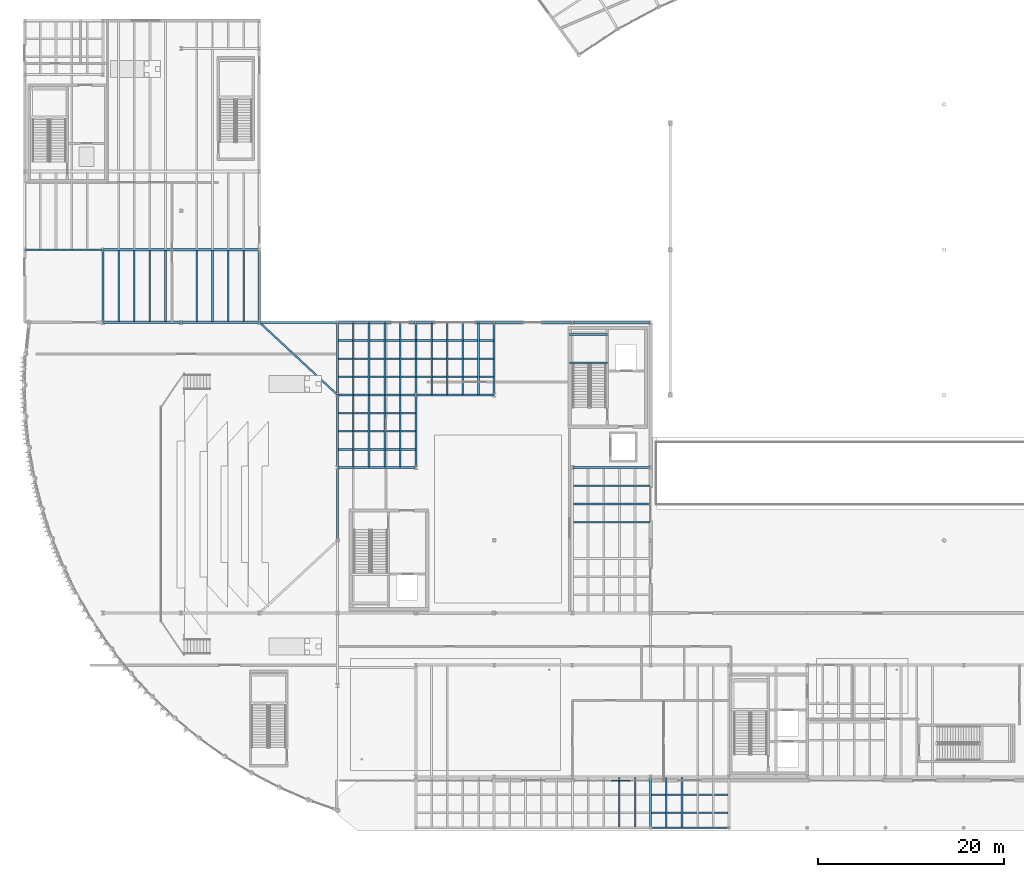
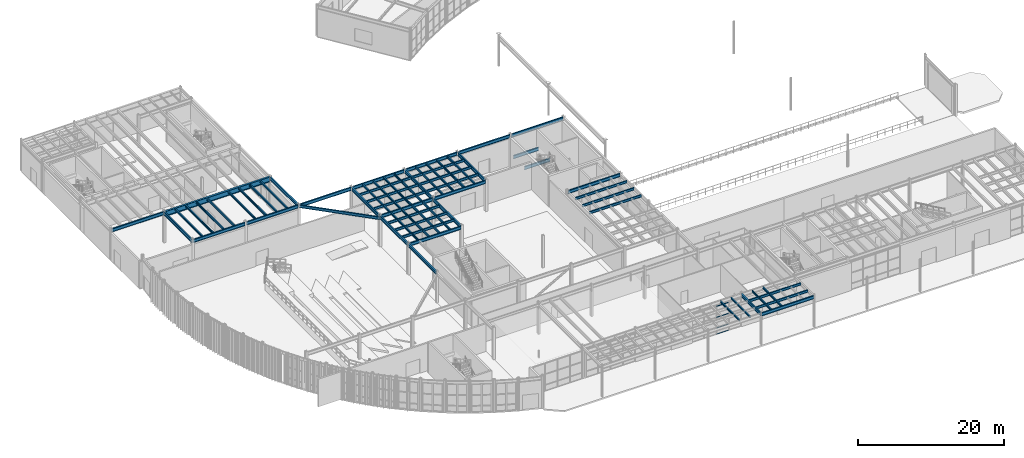
# One storey, part 33 of 87: 64 beams, 4 members, 1 element without a shape of its own.
"""IFC4 building model written with IfcOpenShell, lengths in metres."""

from ifc_helpers import new_model, si_unit, direction, frame, origin, origin_2d, place, context, subcontext, project, spatial, hollow_rectangle, i_section, extrude, material, layer, layer_set, material_profile, profile_set, type_object, element, aggregate, save


model = new_model("IFC4")

# Units and contexts
model_context = context("Model", 3, precision=1e-05, world=origin(), true_north=direction((0.0, 1.0)))
body_context = subcontext(model_context, "Body", "Model", "MODEL_VIEW")
ifc_project = project(units=[si_unit("LENGTHUNIT", "METRE"), si_unit("AREAUNIT", "SQUARE_METRE"), si_unit("VOLUMEUNIT", "CUBIC_METRE"), si_unit("PLANEANGLEUNIT", "RADIAN"), si_unit("MASSUNIT", "GRAM", prefix="KILO")], contexts=[model_context])

# Site, building, storey
site_placement = place(None, origin())
site = spatial("IfcSite", under=ifc_project, at=site_placement, CompositionType="ELEMENT")
building_placement = place(site_placement, origin())
building = spatial("IfcBuilding", under=site, at=building_placement, Name="Selat Folded Stagehouse", CompositionType="ELEMENT")
storey_placement = place(building_placement, origin())
storey = spatial("IfcBuildingStorey", under=building, at=storey_placement, Name="L00", CompositionType="ELEMENT", Elevation=0.0)

# Beams
ifc_material_1 = material(Name="Steel S355", Category="steel")
ifc_material_profile_1 = material_profile(ifc_material_1, i_section(OverallWidth=0.210693359375, OverallDepth=0.53955078125, WebThickness=0.01171875, FlangeThickness=0.018798828125, FilletRadius=0.0126953125, at=origin_2d()), Name="UKB 533x210x109")
ifc_profile_set_1 = profile_set([ifc_material_profile_1], Name="Steel S355")
beam_type_1 = type_object("IfcBeamType", Name="BM-GIRD-533x210x109", PredefinedType="BEAM", material=ifc_profile_set_1)
for number, where, z_axis, x_axis, name in (
    (1, (8.39990234375, 54.679931640625, 4.900146484375), (0.0, 1.0, 0.0), (-1.0, 0.0, 0.0), "L00 primary y-girder 0553"),
    (2, (25.199951171875, 54.679931640625, 4.900146484375), (0.0, 1.0, 0.0), (-1.0, 0.0, 0.0), "L00 primary y-girder 0555"),
):
    element("IfcBeam", number, at=place(storey_placement, frame(where, z_axis=z_axis, x_axis=x_axis)), inside=storey, type_object=beam_type_1, Name=name, PredefinedType="BEAM", context=body_context, shape_type="SweptSolid", body=[
        extrude(i_section(OverallWidth=0.210693359375, OverallDepth=0.53955078125, WebThickness=0.01171875, FlangeThickness=0.018798828125, FilletRadius=0.0126953125, at=origin_2d()), origin(), (0.0, 0.0, 1.0), 7.64013671875),
    ])
beam_1_placement = place(storey_placement, frame((33.60009765625, 31.27490234375, 4.91015625), z_axis=(0.0, 1.0, 0.0), x_axis=(-1.0, 0.0, 0.0)))
element("IfcBeam", 3, at=beam_1_placement, inside=storey, type_object=beam_type_1, Name="L00 primary y-girder 0561", PredefinedType="BEAM", context=body_context, shape_type="SweptSolid", body=[
    extrude(i_section(OverallWidth=0.210693359375, OverallDepth=0.53955078125, WebThickness=0.01171875, FlangeThickness=0.018798828125, FilletRadius=0.0126953125, at=origin_2d()), origin(), (0.0, 0.0, 1.0), 7.64501953125),
])
beam_2_placement = place(storey_placement, frame((33.60009765625, 39.080078125, 4.91015625), z_axis=(0.0, 1.0, 0.0), x_axis=(-1.0, 0.0, 0.0)))
element("IfcBeam", 4, at=beam_2_placement, inside=storey, type_object=beam_type_1, Name="L00 primary y-girder 0562", PredefinedType="BEAM", context=body_context, shape_type="SweptSolid", body=[
    extrude(i_section(OverallWidth=0.210693359375, OverallDepth=0.53955078125, WebThickness=0.01171875, FlangeThickness=0.018798828125, FilletRadius=0.0126953125, at=origin_2d()), origin(), (0.0, 0.0, 1.0), 7.639892578125),
])
beam_3_placement = place(storey_placement, frame((33.60009765625, 46.8798828125, 4.91015625), z_axis=(0.0, 1.0, 0.0), x_axis=(-1.0, 0.0, 0.0)))
element("IfcBeam", 5, at=beam_3_placement, inside=storey, type_object=beam_type_1, Name="L00 primary y-girder 0563", PredefinedType="BEAM", context=body_context, shape_type="SweptSolid", body=[
    extrude(i_section(OverallWidth=0.210693359375, OverallDepth=0.53955078125, WebThickness=0.01171875, FlangeThickness=0.018798828125, FilletRadius=0.0126953125, at=origin_2d()), origin(), (0.0, 0.0, 1.0), 7.64013671875),
])
beam_4_placement = place(storey_placement, frame((42.0, 39.080078125, 4.91015625), z_axis=(0.0, 1.0, 0.0), x_axis=(-1.0, 0.0, 0.0)))
element("IfcBeam", 6, at=beam_4_placement, inside=storey, type_object=beam_type_1, Name="L00 primary y-girder 0566", PredefinedType="BEAM", context=body_context, shape_type="SweptSolid", body=[
    extrude(i_section(OverallWidth=0.210693359375, OverallDepth=0.53955078125, WebThickness=0.01171875, FlangeThickness=0.018798828125, FilletRadius=0.0126953125, at=origin_2d()), origin(), (0.0, 0.0, 1.0), 7.639892578125),
])
for number, where, z_axis, x_axis, name in (
    (7, (42.0, 46.8798828125, 4.91015625), (0.0, 1.0, 0.0), (-1.0, 0.0, 0.0), "L00 primary y-girder 0567"),
    (8, (50.39990234375, 46.8798828125, 4.91015625), (0.0, 1.0, 0.0), (-1.0, 0.0, 0.0), "L00 primary y-girder 0569"),
):
    element("IfcBeam", number, at=place(storey_placement, frame(where, z_axis=z_axis, x_axis=x_axis)), inside=storey, type_object=beam_type_1, Name=name, PredefinedType="BEAM", context=body_context, shape_type="SweptSolid", body=[
        extrude(i_section(OverallWidth=0.210693359375, OverallDepth=0.53955078125, WebThickness=0.01171875, FlangeThickness=0.018798828125, FilletRadius=0.0126953125, at=origin_2d()), origin(), (0.0, 0.0, 1.0), 7.64013671875),
    ])
beam_5_placement = place(storey_placement, frame((67.199951171875, 0.418212890625, 4.940185546875), z_axis=(0.0, 1.0, 0.0), x_axis=(-1.0, 0.0, 0.0)))
element("IfcBeam", 9, at=beam_5_placement, inside=storey, type_object=beam_type_1, Name="L00 primary y-girder 0572", PredefinedType="BEAM", context=body_context, shape_type="SweptSolid", body=[
    extrude(i_section(OverallWidth=0.210693359375, OverallDepth=0.53955078125, WebThickness=0.01171875, FlangeThickness=0.018798828125, FilletRadius=0.0126953125, at=origin_2d()), origin(), (0.0, 0.0, 1.0), 5.3017578125),
])
ifc_material_profile_2 = material_profile(ifc_material_1, i_section(OverallWidth=0.209228515625, OverallDepth=0.533203125, WebThickness=0.010009765625, FlangeThickness=0.015625, FilletRadius=0.0126953125, at=origin_2d()), Name="UKB 533x210x92")
ifc_profile_set_2 = profile_set([ifc_material_profile_2], Name="Steel S355")
beam_type_2 = type_object("IfcBeamType", Name="BM-GIRD-533x210x92", PredefinedType="BEAM", material=ifc_profile_set_2)
beam_6_placement = place(storey_placement, frame((67.268310546875, 0.35009765625, 4.943603515625), z_axis=(1.0, 0.0, 0.0), x_axis=(0.0, 1.0, 0.0)))
element("IfcBeam", 10, at=beam_6_placement, inside=storey, type_object=beam_type_2, Name="L00 primary x-girder 0499", PredefinedType="BEAM", context=body_context, shape_type="SweptSolid", body=[
    extrude(i_section(OverallWidth=0.209228515625, OverallDepth=0.533203125, WebThickness=0.010009765625, FlangeThickness=0.015625, FilletRadius=0.0126953125, at=origin_2d()), origin(), (0.0, 0.0, 1.0), 8.263427734375),
])
beam_7_placement = place(storey_placement, frame((33.679931640625, 39.0, 4.91357421875), z_axis=(1.0, 0.0, 0.0), x_axis=(0.0, 1.0, 0.0)))
element("IfcBeam", 11, at=beam_7_placement, inside=storey, type_object=beam_type_2, Name="L00 primary x-girder 0532", PredefinedType="BEAM", context=body_context, shape_type="SweptSolid", body=[
    extrude(i_section(OverallWidth=0.209228515625, OverallDepth=0.533203125, WebThickness=0.010009765625, FlangeThickness=0.015625, FilletRadius=0.0126953125, at=origin_2d()), origin(), (0.0, 0.0, 1.0), 8.239990234375),
])
beam_8_placement = place(storey_placement, frame((58.8798828125, 39.0, 4.91357421875), z_axis=(1.0, 0.0, 0.0), x_axis=(0.0, 1.0, 0.0)))
element("IfcBeam", 12, at=beam_8_placement, inside=storey, type_object=beam_type_2, Name="L00 primary x-girder 0533", PredefinedType="BEAM", context=body_context, shape_type="SweptSolid", body=[
    extrude(i_section(OverallWidth=0.209228515625, OverallDepth=0.533203125, WebThickness=0.010009765625, FlangeThickness=0.015625, FilletRadius=0.0126953125, at=origin_2d()), origin(), (0.0, 0.0, 1.0), 8.240234375),
])
for number, where, z_axis, x_axis, name in (
    (13, (33.679931640625, 46.800048828125, 4.91357421875), (1.0, 0.0, 0.0), (0.0, 1.0, 0.0), "L00 primary x-girder 0534"),
    (14, (42.080078125, 46.800048828125, 4.91357421875), (1.0, 0.0, 0.0), (0.0, 1.0, 0.0), "L00 primary x-girder 0535"),
    (15, (8.47998046875, 54.60009765625, 4.903564453125), (1.0, 0.0, 0.0), (0.0, 1.0, 0.0), "L00 primary x-girder 0536"),
):
    element("IfcBeam", number, at=place(storey_placement, frame(where, z_axis=z_axis, x_axis=x_axis)), inside=storey, type_object=beam_type_2, Name=name, PredefinedType="BEAM", context=body_context, shape_type="SweptSolid", body=[
        extrude(i_section(OverallWidth=0.209228515625, OverallDepth=0.533203125, WebThickness=0.010009765625, FlangeThickness=0.015625, FilletRadius=0.0126953125, at=origin_2d()), origin(), (0.0, 0.0, 1.0), 8.239990234375),
    ])
beam_9_placement = place(storey_placement, frame((16.8798828125, 54.60009765625, 4.903564453125), z_axis=(1.0, 0.0, 0.0), x_axis=(0.0, 1.0, 0.0)))
element("IfcBeam", 16, at=beam_9_placement, inside=storey, type_object=beam_type_2, Name="L00 primary x-girder 0537", PredefinedType="BEAM", context=body_context, shape_type="SweptSolid", body=[
    extrude(i_section(OverallWidth=0.209228515625, OverallDepth=0.533203125, WebThickness=0.010009765625, FlangeThickness=0.015625, FilletRadius=0.0126953125, at=origin_2d()), origin(), (0.0, 0.0, 1.0), 8.240234375),
])
for number, where, z_axis, x_axis, name in (
    (17, (25.280029296875, 54.60009765625, 4.91357421875), (1.0, 0.0, 0.0), (0.0, 1.0, 0.0), "L00 primary x-girder 0538"),
    (18, (33.679931640625, 54.60009765625, 4.91357421875), (1.0, 0.0, 0.0), (0.0, 1.0, 0.0), "L00 primary x-girder 0539"),
    (19, (42.080078125, 54.60009765625, 4.91357421875), (1.0, 0.0, 0.0), (0.0, 1.0, 0.0), "L00 primary x-girder 0540"),
    (20, (50.47998046875, 54.60009765625, 4.91357421875), (1.0, 0.0, 0.0), (0.0, 1.0, 0.0), "L00 primary x-girder 0541"),
):
    element("IfcBeam", number, at=place(storey_placement, frame(where, z_axis=z_axis, x_axis=x_axis)), inside=storey, type_object=beam_type_2, Name=name, PredefinedType="BEAM", context=body_context, shape_type="SweptSolid", body=[
        extrude(i_section(OverallWidth=0.209228515625, OverallDepth=0.533203125, WebThickness=0.010009765625, FlangeThickness=0.015625, FilletRadius=0.0126953125, at=origin_2d()), origin(), (0.0, 0.0, 1.0), 8.239990234375),
    ])
beam_10_placement = place(storey_placement, frame((58.8798828125, 54.60009765625, 4.91357421875), z_axis=(1.0, 0.0, 0.0), x_axis=(0.0, 1.0, 0.0)))
element("IfcBeam", 21, at=beam_10_placement, inside=storey, type_object=beam_type_2, Name="L00 primary x-girder 0542", PredefinedType="BEAM", context=body_context, shape_type="SweptSolid", body=[
    extrude(i_section(OverallWidth=0.209228515625, OverallDepth=0.533203125, WebThickness=0.010009765625, FlangeThickness=0.015625, FilletRadius=0.0126953125, at=origin_2d()), origin(), (0.0, 0.0, 1.0), 8.240234375),
])
beam_11_placement = place(storey_placement, frame((0.080078125, 62.39990234375, 4.903564453125), z_axis=(1.0, 0.0, 0.0), x_axis=(0.0, 1.0, 0.0)))
element("IfcBeam", 22, at=beam_11_placement, inside=storey, type_object=beam_type_2, Name="L00 primary x-girder 0543", PredefinedType="BEAM", context=body_context, shape_type="SweptSolid", body=[
    extrude(i_section(OverallWidth=0.209228515625, OverallDepth=0.533203125, WebThickness=0.010009765625, FlangeThickness=0.015625, FilletRadius=0.0126953125, at=origin_2d()), origin(), (0.0, 0.0, 1.0), 8.239990234375),
])
for number, where, z_axis, x_axis, name in (
    (23, (58.5, 50.27001953125, 2.2333984375), (1.0, 0.0, 0.0), (0.0, 1.0, 0.0), "L00 ST-02 landing support beam 1"),
    (24, (58.5, 53.31005859375, 2.2333984375), (1.0, 0.0, 0.0), (0.0, 1.0, 0.0), "L00 ST-02 landing support beam 2"),
):
    element("IfcBeam", number, at=place(storey_placement, frame(where, z_axis=z_axis, x_axis=x_axis)), inside=storey, type_object=beam_type_2, Name=name, PredefinedType="BEAM", context=body_context, shape_type="SweptSolid", body=[
        extrude(i_section(OverallWidth=0.209228515625, OverallDepth=0.533203125, WebThickness=0.010009765625, FlangeThickness=0.015625, FilletRadius=0.0126953125, at=origin_2d()), origin(), (0.0, 0.0, 1.0), 4.050048828125),
    ])
ifc_material_profile_3 = material_profile(ifc_material_1, i_section(OverallWidth=0.293701171875, OverallDepth=0.850830078125, WebThickness=0.01611328125, FlangeThickness=0.02685546875, FilletRadius=0.017822265625, at=origin_2d()), Name="UKB 838x292x226")
ifc_profile_set_3 = profile_set([ifc_material_profile_3], Name="Steel S355")
beam_type_3 = type_object("IfcBeamType", Name="BM-LONG-838x292x226", PredefinedType="BEAM", material=ifc_profile_set_3)
beam_12_placement = place(storey_placement, frame((8.47998046875, 62.39990234375, 4.74462890625), z_axis=(1.0, 0.0, 0.0), x_axis=(0.0, 1.0, 0.0)))
element("IfcBeam", 25, at=beam_12_placement, inside=storey, type_object=beam_type_3, Name="L00 primary x-girder 0544", PredefinedType="BEAM", context=body_context, shape_type="SweptSolid", body=[
    extrude(i_section(OverallWidth=0.293701171875, OverallDepth=0.850830078125, WebThickness=0.01611328125, FlangeThickness=0.02685546875, FilletRadius=0.017822265625, at=origin_2d()), origin(), (0.0, 0.0, 1.0), 16.64013671875),
])
ifc_material_profile_4 = material_profile(ifc_material_1, i_section(OverallWidth=0.19140625, OverallDepth=0.4599609375, WebThickness=0.010009765625, FlangeThickness=0.01611328125, FilletRadius=0.01025390625, at=origin_2d()), Name="UKB 457x191x82")
ifc_profile_set_4 = profile_set([ifc_material_profile_4], Name="Steel S355")
beam_type_4 = type_object("IfcBeamType", Name="BM-RAKER-457x191x82", PredefinedType="BEAM", material=ifc_profile_set_4)
beam_13_placement = place(storey_placement, frame((33.60009765625, 46.800048828125, 4.64990234375), z_axis=(-0.732594068574, 0.680258316531, 0.023548959219), x_axis=(-0.680447014825, -0.732797284394, 0.0)))
element("IfcBeam", 26, at=beam_13_placement, inside=storey, type_object=beam_type_4, Name="L00 dress circle radial raker beam N", PredefinedType="BEAM", context=body_context, shape_type="SweptSolid", body=[
    extrude(i_section(OverallWidth=0.19140625, OverallDepth=0.4599609375, WebThickness=0.010009765625, FlangeThickness=0.01611328125, FilletRadius=0.01025390625, at=origin_2d()), origin(), (0.0, 0.0, 1.0), 11.46630859375),
])

# Curtain wall, members
ifc_material_2 = material(Name="Aluminium 6063-T6", Category="aluminium")
ifc_layer = layer(ifc_material_2, 0.2099609375)
ifc_layer_set = layer_set([ifc_layer], Name="Aluminium 6063-T6")
curtain_wall_type = type_object("IfcCurtainWallType", Name="CW-FYR-SOUTH", PredefinedType="NOTDEFINED", material=ifc_layer_set)
curtain_wall_placement = place(storey_placement, origin())
curtain_wall = element("IfcCurtainWall", 27, at=curtain_wall_placement, inside=storey, type_object=curtain_wall_type, Name="L00 curtain wall CW-FYR-L00-02", PredefinedType="NOTDEFINED")
ifc_material_profile_5 = material_profile(ifc_material_2, hollow_rectangle(XDim=0.06494140625, YDim=0.139892578125, WallThickness=0.00390625, at=origin_2d()), Name="ALU 140x65x4.0")
ifc_profile_set_5 = profile_set([ifc_material_profile_5], Name="Aluminium 6063-T6")
member_type = type_object("IfcMemberType", Name="CWM-TRN-140x65", PredefinedType="USERDEFINED", material=ifc_profile_set_5)
member_1_placement = place(storey_placement, frame((64.9423828125, 5.39990234375, 0.032470703125), z_axis=(-1.0, 0.0, 0.0), x_axis=(0.0, -1.0, 0.0)))
member_1 = element("IfcMember", 28, at=member_1_placement, type_object=member_type, Name="CW-04 transom 2.1", ObjectType="TRANSOM", PredefinedType="USERDEFINED", context=body_context, shape_type="SweptSolid", body=[
    extrude(hollow_rectangle(XDim=0.06494140625, YDim=0.139892578125, WallThickness=0.00390625, at=origin_2d()), origin(), (0.0, 0.0, 1.0), 1.909912109375),
])
member_2_placement = place(storey_placement, frame((64.9423828125, 5.39990234375, 1.050048828125), z_axis=(-1.0, 0.0, 0.0), x_axis=(0.0, -1.0, 0.0)))
member_2 = element("IfcMember", 29, at=member_2_placement, type_object=member_type, Name="CW-04 transom 2.2", ObjectType="TRANSOM", PredefinedType="USERDEFINED", context=body_context, shape_type="SweptSolid", body=[
    extrude(hollow_rectangle(XDim=0.06494140625, YDim=0.139892578125, WallThickness=0.00390625, at=origin_2d()), origin(), (0.0, 0.0, 1.0), 1.909912109375),
])
member_3_placement = place(storey_placement, frame((64.9423828125, 5.39990234375, 2.85009765625), z_axis=(-1.0, 0.0, 0.0), x_axis=(0.0, -1.0, 0.0)))
member_3 = element("IfcMember", 30, at=member_3_placement, type_object=member_type, Name="CW-04 transom 2.3", ObjectType="TRANSOM", PredefinedType="USERDEFINED", context=body_context, shape_type="SweptSolid", body=[
    extrude(hollow_rectangle(XDim=0.06494140625, YDim=0.139892578125, WallThickness=0.00390625, at=origin_2d()), origin(), (0.0, 0.0, 1.0), 1.909912109375),
])
member_4_placement = place(storey_placement, frame((64.9423828125, 5.39990234375, 4.6875), z_axis=(-1.0, 0.0, 0.0), x_axis=(0.0, -1.0, 0.0)))
member_4 = element("IfcMember", 31, at=member_4_placement, type_object=member_type, Name="CW-04 transom 2.4", ObjectType="TRANSOM", PredefinedType="USERDEFINED", context=body_context, shape_type="SweptSolid", body=[
    extrude(hollow_rectangle(XDim=0.06494140625, YDim=0.139892578125, WallThickness=0.00390625, at=origin_2d()), origin(), (0.0, 0.0, 1.0), 1.909912109375),
])
aggregate(curtain_wall, [member_1, member_2, member_3, member_4])

# Beams
ifc_material_profile_6 = material_profile(ifc_material_1, i_section(OverallWidth=0.1650390625, OverallDepth=0.303466796875, WebThickness=0.006103515625, FlangeThickness=0.01025390625, FilletRadius=0.0087890625, at=origin_2d()), Name="UKB 305x165x40")
ifc_profile_set_6 = profile_set([ifc_material_profile_6], Name="Steel S355")
beam_type_5 = type_object("IfcBeamType", Name="JST-305x165x40", PredefinedType="JOIST", material=ifc_profile_set_6)
for number, where, z_axis, x_axis, name in (
    (32, (63.840087890625, 0.42333984375, 5.0283203125), (0.0, 1.0, 0.0), (-1.0, 0.0, 0.0), "L00 secondary floor joist 0660"),
    (33, (65.52001953125, 0.42333984375, 5.0283203125), (0.0, 1.0, 0.0), (-1.0, 0.0, 0.0), "L00 secondary floor joist 0662"),
    (34, (68.8798828125, 0.42333984375, 5.0283203125), (0.0, 1.0, 0.0), (-1.0, 0.0, 0.0), "L00 secondary floor joist 0664"),
    (35, (70.56005859375, 0.42333984375, 5.0283203125), (0.0, 1.0, 0.0), (-1.0, 0.0, 0.0), "L00 secondary floor joist 0665"),
):
    element("IfcBeam", number, at=place(storey_placement, frame(where, z_axis=z_axis, x_axis=x_axis)), inside=storey, type_object=beam_type_5, Name=name, PredefinedType="JOIST", context=body_context, shape_type="SweptSolid", body=[
        extrude(i_section(OverallWidth=0.1650390625, OverallDepth=0.303466796875, WebThickness=0.006103515625, FlangeThickness=0.01025390625, FilletRadius=0.0087890625, at=origin_2d()), origin(), (0.0, 0.0, 1.0), 5.303466796875),
    ])
ifc_material_profile_7 = material_profile(ifc_material_1, i_section(OverallWidth=0.17138671875, OverallDepth=0.35498046875, WebThickness=0.00732421875, FlangeThickness=0.011474609375, FilletRadius=0.01025390625, at=origin_2d()), Name="UKB 356x171x51")
ifc_profile_set_7 = profile_set([ifc_material_profile_7], Name="Steel S355")
beam_type_6 = type_object("IfcBeamType", Name="JST-356x171x51", PredefinedType="JOIST", material=ifc_profile_set_7)
for number, where, z_axis, x_axis, name in (
    (36, (10.080078125, 54.67333984375, 4.992431640625), (0.0, 1.0, 0.0), (-1.0, 0.0, 0.0), "L00 secondary floor joist 0607"),
    (37, (11.760009765625, 54.67333984375, 4.992431640625), (0.0, 1.0, 0.0), (-1.0, 0.0, 0.0), "L00 secondary floor joist 0610"),
    (38, (13.43994140625, 54.67333984375, 4.992431640625), (0.0, 1.0, 0.0), (-1.0, 0.0, 0.0), "L00 secondary floor joist 0613"),
    (39, (15.1201171875, 54.67333984375, 4.992431640625), (0.0, 1.0, 0.0), (-1.0, 0.0, 0.0), "L00 secondary floor joist 0616"),
    (40, (18.47998046875, 54.67333984375, 4.992431640625), (0.0, 1.0, 0.0), (-1.0, 0.0, 0.0), "L00 secondary floor joist 0619"),
    (41, (20.159912109375, 54.67333984375, 4.992431640625), (0.0, 1.0, 0.0), (-1.0, 0.0, 0.0), "L00 secondary floor joist 0623"),
    (42, (21.840087890625, 54.67333984375, 4.992431640625), (0.0, 1.0, 0.0), (-1.0, 0.0, 0.0), "L00 secondary floor joist 0627"),
    (43, (23.52001953125, 54.67333984375, 4.992431640625), (0.0, 1.0, 0.0), (-1.0, 0.0, 0.0), "L00 secondary floor joist 0630"),
):
    element("IfcBeam", number, at=place(storey_placement, frame(where, z_axis=z_axis, x_axis=x_axis)), inside=storey, type_object=beam_type_6, Name=name, PredefinedType="JOIST", context=body_context, shape_type="SweptSolid", body=[
        extrude(i_section(OverallWidth=0.17138671875, OverallDepth=0.35498046875, WebThickness=0.00732421875, FlangeThickness=0.011474609375, FilletRadius=0.01025390625, at=origin_2d()), origin(), (0.0, 0.0, 1.0), 7.623779296875),
    ])
beam_14_placement = place(storey_placement, frame((35.280029296875, 39.0732421875, 5.00244140625), z_axis=(0.0, 1.0, 0.0), x_axis=(-1.0, 0.0, 0.0)))
element("IfcBeam", 44, at=beam_14_placement, inside=storey, type_object=beam_type_6, Name="L00 secondary floor joist 0634", PredefinedType="JOIST", context=body_context, shape_type="SweptSolid", body=[
    extrude(i_section(OverallWidth=0.17138671875, OverallDepth=0.35498046875, WebThickness=0.00732421875, FlangeThickness=0.011474609375, FilletRadius=0.01025390625, at=origin_2d()), origin(), (0.0, 0.0, 1.0), 7.653564453125),
])
beam_15_placement = place(storey_placement, frame((35.280029296875, 46.873291015625, 5.00244140625), z_axis=(0.0, 1.0, 0.0), x_axis=(-1.0, 0.0, 0.0)))
element("IfcBeam", 45, at=beam_15_placement, inside=storey, type_object=beam_type_6, Name="L00 secondary floor joist 0635", PredefinedType="JOIST", context=body_context, shape_type="SweptSolid", body=[
    extrude(i_section(OverallWidth=0.17138671875, OverallDepth=0.35498046875, WebThickness=0.00732421875, FlangeThickness=0.011474609375, FilletRadius=0.01025390625, at=origin_2d()), origin(), (0.0, 0.0, 1.0), 7.6533203125),
])
beam_16_placement = place(storey_placement, frame((36.9599609375, 39.0732421875, 5.00244140625), z_axis=(0.0, 1.0, 0.0), x_axis=(-1.0, 0.0, 0.0)))
element("IfcBeam", 46, at=beam_16_placement, inside=storey, type_object=beam_type_6, Name="L00 secondary floor joist 0636", PredefinedType="JOIST", context=body_context, shape_type="SweptSolid", body=[
    extrude(i_section(OverallWidth=0.17138671875, OverallDepth=0.35498046875, WebThickness=0.00732421875, FlangeThickness=0.011474609375, FilletRadius=0.01025390625, at=origin_2d()), origin(), (0.0, 0.0, 1.0), 7.653564453125),
])
beam_17_placement = place(storey_placement, frame((36.9599609375, 46.873291015625, 5.00244140625), z_axis=(0.0, 1.0, 0.0), x_axis=(-1.0, 0.0, 0.0)))
element("IfcBeam", 47, at=beam_17_placement, inside=storey, type_object=beam_type_6, Name="L00 secondary floor joist 0637", PredefinedType="JOIST", context=body_context, shape_type="SweptSolid", body=[
    extrude(i_section(OverallWidth=0.17138671875, OverallDepth=0.35498046875, WebThickness=0.00732421875, FlangeThickness=0.011474609375, FilletRadius=0.01025390625, at=origin_2d()), origin(), (0.0, 0.0, 1.0), 7.6533203125),
])
beam_18_placement = place(storey_placement, frame((38.639892578125, 39.0732421875, 5.00244140625), z_axis=(0.0, 1.0, 0.0), x_axis=(-1.0, 0.0, 0.0)))
element("IfcBeam", 48, at=beam_18_placement, inside=storey, type_object=beam_type_6, Name="L00 secondary floor joist 0638", PredefinedType="JOIST", context=body_context, shape_type="SweptSolid", body=[
    extrude(i_section(OverallWidth=0.17138671875, OverallDepth=0.35498046875, WebThickness=0.00732421875, FlangeThickness=0.011474609375, FilletRadius=0.01025390625, at=origin_2d()), origin(), (0.0, 0.0, 1.0), 7.653564453125),
])
beam_19_placement = place(storey_placement, frame((38.639892578125, 46.873291015625, 5.00244140625), z_axis=(0.0, 1.0, 0.0), x_axis=(-1.0, 0.0, 0.0)))
element("IfcBeam", 49, at=beam_19_placement, inside=storey, type_object=beam_type_6, Name="L00 secondary floor joist 0639", PredefinedType="JOIST", context=body_context, shape_type="SweptSolid", body=[
    extrude(i_section(OverallWidth=0.17138671875, OverallDepth=0.35498046875, WebThickness=0.00732421875, FlangeThickness=0.011474609375, FilletRadius=0.01025390625, at=origin_2d()), origin(), (0.0, 0.0, 1.0), 7.6533203125),
])
beam_20_placement = place(storey_placement, frame((40.320068359375, 39.0732421875, 5.00244140625), z_axis=(0.0, 1.0, 0.0), x_axis=(-1.0, 0.0, 0.0)))
element("IfcBeam", 50, at=beam_20_placement, inside=storey, type_object=beam_type_6, Name="L00 secondary floor joist 0640", PredefinedType="JOIST", context=body_context, shape_type="SweptSolid", body=[
    extrude(i_section(OverallWidth=0.17138671875, OverallDepth=0.35498046875, WebThickness=0.00732421875, FlangeThickness=0.011474609375, FilletRadius=0.01025390625, at=origin_2d()), origin(), (0.0, 0.0, 1.0), 7.653564453125),
])
for number, where, z_axis, x_axis, name in (
    (51, (40.320068359375, 46.873291015625, 5.00244140625), (0.0, 1.0, 0.0), (-1.0, 0.0, 0.0), "L00 secondary floor joist 0641"),
    (52, (43.679931640625, 46.873291015625, 5.00244140625), (0.0, 1.0, 0.0), (-1.0, 0.0, 0.0), "L00 secondary floor joist 0644"),
    (53, (45.360107421875, 46.873291015625, 5.00244140625), (0.0, 1.0, 0.0), (-1.0, 0.0, 0.0), "L00 secondary floor joist 0647"),
    (54, (47.0400390625, 46.873291015625, 5.00244140625), (0.0, 1.0, 0.0), (-1.0, 0.0, 0.0), "L00 secondary floor joist 0649"),
    (55, (48.719970703125, 46.873291015625, 5.00244140625), (0.0, 1.0, 0.0), (-1.0, 0.0, 0.0), "L00 secondary floor joist 0651"),
):
    element("IfcBeam", number, at=place(storey_placement, frame(where, z_axis=z_axis, x_axis=x_axis)), inside=storey, type_object=beam_type_6, Name=name, PredefinedType="JOIST", context=body_context, shape_type="SweptSolid", body=[
        extrude(i_section(OverallWidth=0.17138671875, OverallDepth=0.35498046875, WebThickness=0.00732421875, FlangeThickness=0.011474609375, FilletRadius=0.01025390625, at=origin_2d()), origin(), (0.0, 0.0, 1.0), 7.6533203125),
    ])
ifc_material_profile_8 = material_profile(ifc_material_1, i_section(OverallWidth=0.177978515625, OverallDepth=0.406494140625, WebThickness=0.0078125, FlangeThickness=0.0126953125, FilletRadius=0.01025390625, at=origin_2d()), Name="UKB 406x178x60")
ifc_profile_set_8 = profile_set([ifc_material_profile_8], Name="Steel S355")
beam_type_7 = type_object("IfcBeamType", Name="JST-406x178x60", PredefinedType="JOIST", material=ifc_profile_set_8)
for number, where, z_axis, x_axis, name in (
    (56, (67.273681640625, 1.949951171875, 5.0068359375), (1.0, 0.0, 0.0), (0.0, 1.0, 0.0), "L00 secondary x-joist 0702"),
    (57, (67.273681640625, 3.89990234375, 5.0068359375), (1.0, 0.0, 0.0), (0.0, 1.0, 0.0), "L00 secondary x-joist 0707"),
):
    element("IfcBeam", number, at=place(storey_placement, frame(where, z_axis=z_axis, x_axis=x_axis)), inside=storey, type_object=beam_type_7, Name=name, PredefinedType="JOIST", context=body_context, shape_type="SweptSolid", body=[
        extrude(i_section(OverallWidth=0.177978515625, OverallDepth=0.406494140625, WebThickness=0.0078125, FlangeThickness=0.0126953125, FilletRadius=0.01025390625, at=origin_2d()), origin(), (0.0, 0.0, 1.0), 8.25244140625),
    ])
for number, where, z_axis, x_axis, name in (
    (58, (58.893798828125, 33.14990234375, 4.976806640625), (1.0, 0.0, 0.0), (0.0, 1.0, 0.0), "L00 secondary x-joist 0733"),
    (59, (58.893798828125, 35.10009765625, 4.976806640625), (1.0, 0.0, 0.0), (0.0, 1.0, 0.0), "L00 secondary x-joist 0737"),
    (60, (58.893798828125, 37.050048828125, 4.976806640625), (1.0, 0.0, 0.0), (0.0, 1.0, 0.0), "L00 secondary x-joist 0738"),
):
    element("IfcBeam", number, at=place(storey_placement, frame(where, z_axis=z_axis, x_axis=x_axis)), inside=storey, type_object=beam_type_7, Name=name, PredefinedType="JOIST", context=body_context, shape_type="SweptSolid", body=[
        extrude(i_section(OverallWidth=0.177978515625, OverallDepth=0.406494140625, WebThickness=0.0078125, FlangeThickness=0.0126953125, FilletRadius=0.01025390625, at=origin_2d()), origin(), (0.0, 0.0, 1.0), 8.232421875),
    ])
for number, where, z_axis, x_axis, name in (
    (61, (33.673828125, 40.949951171875, 4.976806640625), (1.0, 0.0, 0.0), (0.0, 1.0, 0.0), "L00 secondary x-joist 0739"),
    (62, (33.673828125, 42.89990234375, 4.976806640625), (1.0, 0.0, 0.0), (0.0, 1.0, 0.0), "L00 secondary x-joist 0740"),
    (63, (33.673828125, 44.85009765625, 4.976806640625), (1.0, 0.0, 0.0), (0.0, 1.0, 0.0), "L00 secondary x-joist 0741"),
    (64, (33.673828125, 48.75, 4.976806640625), (1.0, 0.0, 0.0), (0.0, 1.0, 0.0), "L00 secondary x-joist 0742"),
    (65, (42.07373046875, 48.75, 4.976806640625), (1.0, 0.0, 0.0), (0.0, 1.0, 0.0), "L00 secondary x-joist 0743"),
    (66, (33.673828125, 50.699951171875, 4.976806640625), (1.0, 0.0, 0.0), (0.0, 1.0, 0.0), "L00 secondary x-joist 0744"),
    (67, (42.07373046875, 50.699951171875, 4.976806640625), (1.0, 0.0, 0.0), (0.0, 1.0, 0.0), "L00 secondary x-joist 0745"),
    (68, (33.673828125, 52.64990234375, 4.976806640625), (1.0, 0.0, 0.0), (0.0, 1.0, 0.0), "L00 secondary x-joist 0746"),
    (69, (42.07373046875, 52.64990234375, 4.976806640625), (1.0, 0.0, 0.0), (0.0, 1.0, 0.0), "L00 secondary x-joist 0747"),
):
    element("IfcBeam", number, at=place(storey_placement, frame(where, z_axis=z_axis, x_axis=x_axis)), inside=storey, type_object=beam_type_7, Name=name, PredefinedType="JOIST", context=body_context, shape_type="SweptSolid", body=[
        extrude(i_section(OverallWidth=0.177978515625, OverallDepth=0.406494140625, WebThickness=0.0078125, FlangeThickness=0.0126953125, FilletRadius=0.01025390625, at=origin_2d()), origin(), (0.0, 0.0, 1.0), 8.25244140625),
    ])

save(model, "model.ifc")
